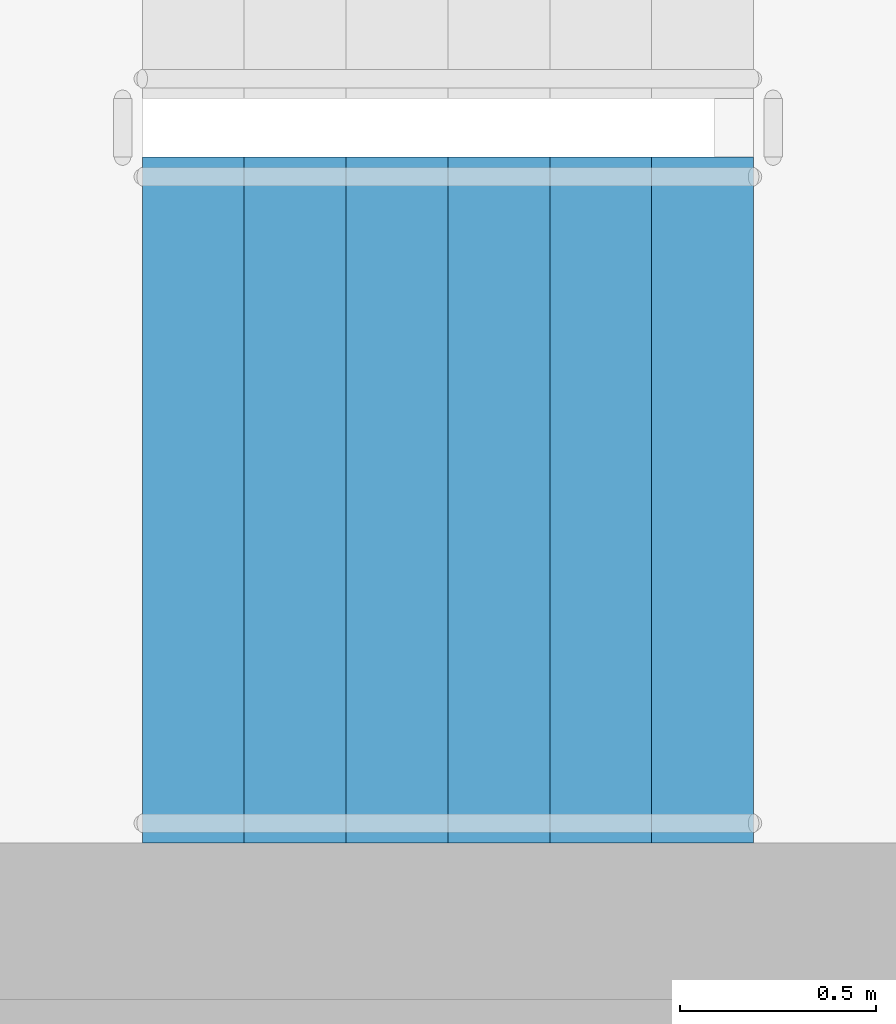
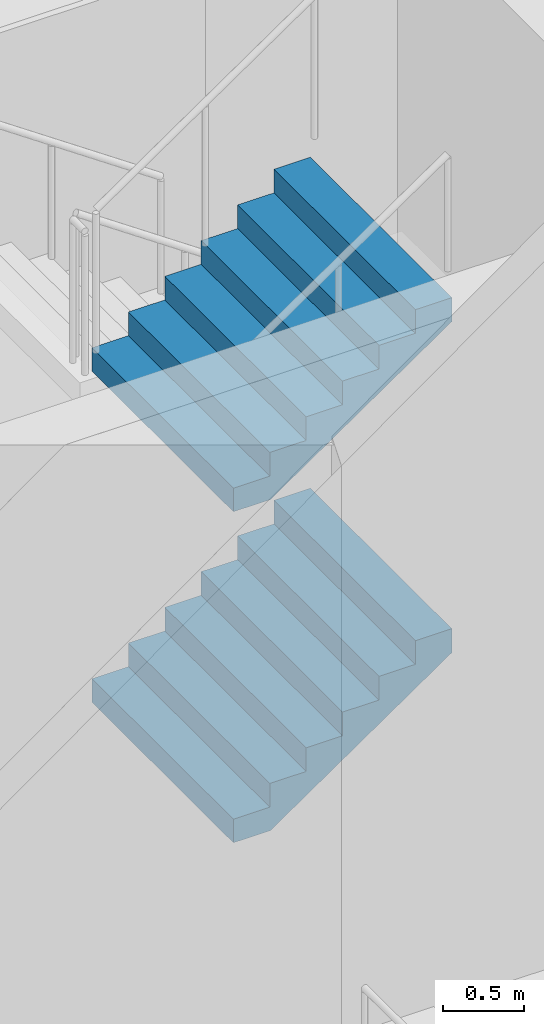
# One storey, part 18 of 34: 2 stair flights, 1 element without a shape of its own.
"""IFC4 building model written with IfcOpenShell, lengths in metres."""

from ifc_helpers import new_model, si_unit, direction, frame, origin, place, context, subcontext, project, spatial, faceted_brep, material, type_object, element, aggregate, save


model = new_model("IFC4")

# Units and contexts
model_context = context("Model", 3, precision=1e-05, world=origin(), true_north=direction((0.0, 1.0)))
body_context = subcontext(model_context, "Body", "Model", "MODEL_VIEW")
ifc_project = project(units=[si_unit("LENGTHUNIT", "METRE"), si_unit("AREAUNIT", "SQUARE_METRE"), si_unit("VOLUMEUNIT", "CUBIC_METRE"), si_unit("PLANEANGLEUNIT", "RADIAN"), si_unit("MASSUNIT", "GRAM", prefix="KILO")], contexts=[model_context])

# Site, building, storey
site_placement = place(None, origin())
site = spatial("IfcSite", under=ifc_project, at=site_placement, CompositionType="ELEMENT")
building_placement = place(site_placement, origin())
building = spatial("IfcBuilding", under=site, at=building_placement, Name="Ipe Terrace Towers", CompositionType="ELEMENT")
storey_placement = place(building_placement, frame((0.0, 0.0, 128.699951171875)))
storey = spatial("IfcBuildingStorey", under=building, at=storey_placement, Name="L35", CompositionType="ELEMENT", Elevation=128.699951171875)

# Stair, stair flights
ifc_material_1 = material(Name="Concrete C30/37", Category="concrete")
stair_type = type_object("IfcStairType", Name="Protected exit stair", PredefinedType="HALF_TURN_STAIR", material=ifc_material_1)
stair_placement = place(storey_placement, origin())
stair = element("IfcStair", 1, at=stair_placement, inside=storey, type_object=stair_type, Name="L35 Exit stair T1-C2", PredefinedType="HALF_TURN_STAIR")
ifc_material_2 = material(Name="Concrete C30/37", Category="concrete")
stair_flight_type = type_object("IfcStairFlightType", Name="Exit stair flight 1750", PredefinedType="STRAIGHT", material=ifc_material_2)
stair_flight_1_placement = place(storey_placement, frame((-47.260009765625, -4.675048828125, 1.25), z_axis=(0.0, 0.0, 1.0), x_axis=(1.0, 0.0, 0.0)))
stair_flight_1 = element("IfcStairFlight", 2, at=stair_flight_1_placement, type_object=stair_flight_type, Name="T1-ST2 flight 2", NumberOfRisers=7, NumberOfTreads=6, PredefinedType="STRAIGHT", RiserHeight=0.178571429, TreadLength=0.26, context=body_context, shape_type="Brep", body=[
    faceted_brep([(0.264892578125, -0.875, 0.0), (1.56005859375, -0.875, 0.8896484375), (1.56005859375, -0.875, 1.071533203125), (1.300048828125, -0.875, 1.071533203125), (1.300048828125, -0.875, 0.892822265625), (1.0400390625, -0.875, 0.892822265625), (1.0400390625, -0.875, 0.71435546875), (0.780029296875, -0.875, 0.71435546875), (0.780029296875, -0.875, 0.53564453125), (0.52001953125, -0.875, 0.53564453125), (0.52001953125, -0.875, 0.357177734375), (0.260009765625, -0.875, 0.357177734375), (0.260009765625, -0.875, 0.178466796875), (0.0, -0.875, 0.178466796875), (0.0, -0.875, 0.0), (0.0, 0.875, 0.0), (0.0, 0.875, 0.178466796875), (0.260009765625, 0.875, 0.178466796875), (0.260009765625, 0.875, 0.357177734375), (0.52001953125, 0.875, 0.357177734375), (0.52001953125, 0.875, 0.53564453125), (0.780029296875, 0.875, 0.53564453125), (0.780029296875, 0.875, 0.71435546875), (1.0400390625, 0.875, 0.71435546875), (1.0400390625, 0.875, 0.892822265625), (1.300048828125, 0.875, 0.892822265625), (1.300048828125, 0.875, 1.071533203125), (1.56005859375, 0.875, 1.071533203125), (1.56005859375, 0.875, 0.8896484375), (0.264892578125, 0.875, 0.0), (0.0, -0.300048828125, 0.178466796875), (0.0, -0.1201171875, 0.178466796875), (0.0, -0.06005859375, 0.178466796875), (0.0, -0.030029296875, 0.178466796875), (0.0, -0.010009765625, 0.178466796875), (0.0, 0.0, 0.178466796875), (0.0, 0.010009765625, 0.178466796875), (0.0, 0.030029296875, 0.178466796875), (0.0, 0.06005859375, 0.178466796875), (0.0, 0.1201171875, 0.178466796875), (0.0, 0.300048828125, 0.178466796875), (0.0, 0.300048828125, 0.0), (0.0, 0.1201171875, 0.0), (0.0, 0.06005859375, 0.0), (0.0, 0.030029296875, 0.0), (0.0, 0.010009765625, 0.0), (0.0, 0.0, 0.0), (0.0, -0.010009765625, 0.0), (0.0, -0.030029296875, 0.0), (0.0, -0.06005859375, 0.0), (0.0, -0.1201171875, 0.0), (0.0, -0.300048828125, 0.0), (0.260009765625, -0.300048828125, 0.178466796875), (0.260009765625, -0.1201171875, 0.178466796875), (0.260009765625, -0.06005859375, 0.178466796875), (0.260009765625, -0.030029296875, 0.178466796875), (0.260009765625, -0.010009765625, 0.178466796875), (0.260009765625, 0.0, 0.178466796875), (0.260009765625, 0.010009765625, 0.178466796875), (0.260009765625, 0.030029296875, 0.178466796875), (0.260009765625, 0.06005859375, 0.178466796875), (0.260009765625, 0.1201171875, 0.178466796875), (0.260009765625, 0.300048828125, 0.178466796875), (0.260009765625, -0.300048828125, 0.357177734375), (0.260009765625, -0.1201171875, 0.357177734375), (0.260009765625, -0.06005859375, 0.357177734375), (0.260009765625, -0.030029296875, 0.357177734375), (0.260009765625, -0.010009765625, 0.357177734375), (0.260009765625, 0.0, 0.357177734375), (0.260009765625, 0.010009765625, 0.357177734375), (0.260009765625, 0.030029296875, 0.357177734375), (0.260009765625, 0.06005859375, 0.357177734375), (0.260009765625, 0.1201171875, 0.357177734375), (0.260009765625, 0.300048828125, 0.357177734375), (0.52001953125, -0.300048828125, 0.357177734375), (0.52001953125, -0.1201171875, 0.357177734375), (0.52001953125, -0.06005859375, 0.357177734375), (0.52001953125, -0.030029296875, 0.357177734375), (0.52001953125, -0.010009765625, 0.357177734375), (0.52001953125, 0.0, 0.357177734375), (0.52001953125, 0.010009765625, 0.357177734375), (0.52001953125, 0.030029296875, 0.357177734375), (0.52001953125, 0.06005859375, 0.357177734375), (0.52001953125, 0.1201171875, 0.357177734375), (0.52001953125, 0.300048828125, 0.357177734375), (0.52001953125, -0.300048828125, 0.53564453125), (0.52001953125, -0.1201171875, 0.53564453125), (0.52001953125, -0.06005859375, 0.53564453125), (0.52001953125, -0.030029296875, 0.53564453125), (0.52001953125, -0.010009765625, 0.53564453125), (0.52001953125, 0.0, 0.53564453125), (0.52001953125, 0.010009765625, 0.53564453125), (0.52001953125, 0.030029296875, 0.53564453125), (0.52001953125, 0.06005859375, 0.53564453125), (0.52001953125, 0.1201171875, 0.53564453125), (0.52001953125, 0.300048828125, 0.53564453125), (0.780029296875, -0.300048828125, 0.53564453125), (0.780029296875, -0.1201171875, 0.53564453125), (0.780029296875, -0.06005859375, 0.53564453125), (0.780029296875, -0.030029296875, 0.53564453125), (0.780029296875, -0.010009765625, 0.53564453125), (0.780029296875, 0.0, 0.53564453125), (0.780029296875, 0.010009765625, 0.53564453125), (0.780029296875, 0.030029296875, 0.53564453125), (0.780029296875, 0.06005859375, 0.53564453125), (0.780029296875, 0.1201171875, 0.53564453125), (0.780029296875, 0.300048828125, 0.53564453125), (0.780029296875, -0.300048828125, 0.71435546875), (0.780029296875, -0.1201171875, 0.71435546875), (0.780029296875, -0.06005859375, 0.71435546875), (0.780029296875, -0.030029296875, 0.71435546875), (0.780029296875, -0.010009765625, 0.71435546875), (0.780029296875, 0.0, 0.71435546875), (0.780029296875, 0.010009765625, 0.71435546875), (0.780029296875, 0.030029296875, 0.71435546875), (0.780029296875, 0.06005859375, 0.71435546875), (0.780029296875, 0.1201171875, 0.71435546875), (0.780029296875, 0.300048828125, 0.71435546875), (1.0400390625, -0.300048828125, 0.71435546875), (1.0400390625, -0.1201171875, 0.71435546875), (1.0400390625, -0.06005859375, 0.71435546875), (1.0400390625, -0.030029296875, 0.71435546875), (1.0400390625, -0.010009765625, 0.71435546875), (1.0400390625, 0.0, 0.71435546875), (1.0400390625, 0.010009765625, 0.71435546875), (1.0400390625, 0.030029296875, 0.71435546875), (1.0400390625, 0.06005859375, 0.71435546875), (1.0400390625, 0.1201171875, 0.71435546875), (1.0400390625, 0.300048828125, 0.71435546875), (1.0400390625, -0.300048828125, 0.892822265625), (1.0400390625, -0.1201171875, 0.892822265625), (1.0400390625, -0.06005859375, 0.892822265625), (1.0400390625, -0.030029296875, 0.892822265625), (1.0400390625, -0.010009765625, 0.892822265625), (1.0400390625, 0.0, 0.892822265625), (1.0400390625, 0.010009765625, 0.892822265625), (1.0400390625, 0.030029296875, 0.892822265625), (1.0400390625, 0.06005859375, 0.892822265625), (1.0400390625, 0.1201171875, 0.892822265625), (1.0400390625, 0.300048828125, 0.892822265625), (1.300048828125, -0.300048828125, 0.892822265625), (1.300048828125, -0.1201171875, 0.892822265625), (1.300048828125, -0.06005859375, 0.892822265625), (1.300048828125, -0.030029296875, 0.892822265625), (1.300048828125, -0.010009765625, 0.892822265625), (1.300048828125, 0.0, 0.892822265625), (1.300048828125, 0.010009765625, 0.892822265625), (1.300048828125, 0.030029296875, 0.892822265625), (1.300048828125, 0.06005859375, 0.892822265625), (1.300048828125, 0.1201171875, 0.892822265625), (1.300048828125, 0.300048828125, 0.892822265625), (1.300048828125, -0.300048828125, 1.071533203125), (1.300048828125, -0.1201171875, 1.071533203125), (1.300048828125, -0.06005859375, 1.071533203125), (1.300048828125, -0.030029296875, 1.071533203125), (1.300048828125, -0.010009765625, 1.071533203125), (1.300048828125, 0.0, 1.071533203125), (1.300048828125, 0.010009765625, 1.071533203125), (1.300048828125, 0.030029296875, 1.071533203125), (1.300048828125, 0.06005859375, 1.071533203125), (1.300048828125, 0.1201171875, 1.071533203125), (1.300048828125, 0.300048828125, 1.071533203125), (1.56005859375, -0.300048828125, 1.071533203125), (1.56005859375, -0.1201171875, 1.071533203125), (1.56005859375, -0.06005859375, 1.071533203125), (1.56005859375, -0.030029296875, 1.071533203125), (1.56005859375, -0.010009765625, 1.071533203125), (1.56005859375, 0.0, 1.071533203125), (1.56005859375, 0.010009765625, 1.071533203125), (1.56005859375, 0.030029296875, 1.071533203125), (1.56005859375, 0.06005859375, 1.071533203125), (1.56005859375, 0.1201171875, 1.071533203125), (1.56005859375, 0.300048828125, 1.071533203125), (1.56005859375, -0.300048828125, 0.8896484375), (1.56005859375, -0.1201171875, 0.8896484375), (1.56005859375, -0.06005859375, 0.8896484375), (1.56005859375, -0.030029296875, 0.8896484375), (1.56005859375, -0.010009765625, 0.8896484375), (1.56005859375, 0.0, 0.8896484375), (1.56005859375, 0.010009765625, 0.8896484375), (1.56005859375, 0.030029296875, 0.8896484375), (1.56005859375, 0.06005859375, 0.8896484375), (1.56005859375, 0.1201171875, 0.8896484375), (1.56005859375, 0.300048828125, 0.8896484375), (0.264892578125, -0.300048828125, 0.0), (0.264892578125, -0.1201171875, 0.0), (0.264892578125, -0.06005859375, 0.0), (0.264892578125, -0.030029296875, 0.0), (0.264892578125, -0.010009765625, 0.0), (0.264892578125, 0.0, 0.0), (0.264892578125, 0.010009765625, 0.0), (0.264892578125, 0.030029296875, 0.0), (0.264892578125, 0.06005859375, 0.0), (0.264892578125, 0.1201171875, 0.0), (0.264892578125, 0.300048828125, 0.0)], [[[0, 1, 2, 3, 4, 5, 6, 7, 8, 9, 10, 11, 12, 13, 14]], [[15, 16, 17, 18, 19, 20, 21, 22, 23, 24, 25, 26, 27, 28, 29]], [[13, 30, 31, 32, 33, 34, 35, 36, 37, 38, 39, 40, 16, 15, 41, 42, 43, 44, 45, 46, 47, 48, 49, 50, 51, 14]], [[12, 52, 53, 54, 55, 56, 57, 58, 59, 60, 61, 62, 17, 16, 40, 39, 38, 37, 36, 35, 34, 33, 32, 31, 30, 13]], [[11, 63, 64, 65, 66, 67, 68, 69, 70, 71, 72, 73, 18, 17, 62, 61, 60, 59, 58, 57, 56, 55, 54, 53, 52, 12]], [[10, 74, 75, 76, 77, 78, 79, 80, 81, 82, 83, 84, 19, 18, 73, 72, 71, 70, 69, 68, 67, 66, 65, 64, 63, 11]], [[9, 85, 86, 87, 88, 89, 90, 91, 92, 93, 94, 95, 20, 19, 84, 83, 82, 81, 80, 79, 78, 77, 76, 75, 74, 10]], [[8, 96, 97, 98, 99, 100, 101, 102, 103, 104, 105, 106, 21, 20, 95, 94, 93, 92, 91, 90, 89, 88, 87, 86, 85, 9]], [[7, 107, 108, 109, 110, 111, 112, 113, 114, 115, 116, 117, 22, 21, 106, 105, 104, 103, 102, 101, 100, 99, 98, 97, 96, 8]], [[6, 118, 119, 120, 121, 122, 123, 124, 125, 126, 127, 128, 23, 22, 117, 116, 115, 114, 113, 112, 111, 110, 109, 108, 107, 7]], [[5, 129, 130, 131, 132, 133, 134, 135, 136, 137, 138, 139, 24, 23, 128, 127, 126, 125, 124, 123, 122, 121, 120, 119, 118, 6]], [[4, 140, 141, 142, 143, 144, 145, 146, 147, 148, 149, 150, 25, 24, 139, 138, 137, 136, 135, 134, 133, 132, 131, 130, 129, 5]], [[3, 151, 152, 153, 154, 155, 156, 157, 158, 159, 160, 161, 26, 25, 150, 149, 148, 147, 146, 145, 144, 143, 142, 141, 140, 4]], [[2, 162, 163, 164, 165, 166, 167, 168, 169, 170, 171, 172, 27, 26, 161, 160, 159, 158, 157, 156, 155, 154, 153, 152, 151, 3]], [[1, 173, 174, 175, 176, 177, 178, 179, 180, 181, 182, 183, 28, 27, 172, 171, 170, 169, 168, 167, 166, 165, 164, 163, 162, 2]], [[0, 184, 185, 186, 187, 188, 189, 190, 191, 192, 193, 194, 29, 28, 183, 182, 181, 180, 179, 178, 177, 176, 175, 174, 173, 1]], [[14, 51, 50, 49, 48, 47, 46, 45, 44, 43, 42, 41, 15, 29, 194, 193, 192, 191, 190, 189, 188, 187, 186, 185, 184, 0]]]),
])
stair_flight_2_placement = place(storey_placement, frame((-47.260009765625, -4.675048828125, 3.75), z_axis=(0.0, 0.0, 1.0), x_axis=(1.0, 0.0, 0.0)))
stair_flight_2 = element("IfcStairFlight", 3, at=stair_flight_2_placement, type_object=stair_flight_type, Name="T1-ST2 flight 4", NumberOfRisers=7, NumberOfTreads=6, PredefinedType="STRAIGHT", RiserHeight=0.178571429, TreadLength=0.26, context=body_context, shape_type="Brep", body=[
    faceted_brep([(0.264892578125, -0.875, 0.0), (1.56005859375, -0.875, 0.8896484375), (1.56005859375, -0.875, 1.071533203125), (1.300048828125, -0.875, 1.071533203125), (1.300048828125, -0.875, 0.892822265625), (1.0400390625, -0.875, 0.892822265625), (1.0400390625, -0.875, 0.71435546875), (0.780029296875, -0.875, 0.71435546875), (0.780029296875, -0.875, 0.53564453125), (0.52001953125, -0.875, 0.53564453125), (0.52001953125, -0.875, 0.357177734375), (0.260009765625, -0.875, 0.357177734375), (0.260009765625, -0.875, 0.178466796875), (0.0, -0.875, 0.178466796875), (0.0, -0.875, 0.0), (0.0, 0.875, 0.0), (0.0, 0.875, 0.178466796875), (0.260009765625, 0.875, 0.178466796875), (0.260009765625, 0.875, 0.357177734375), (0.52001953125, 0.875, 0.357177734375), (0.52001953125, 0.875, 0.53564453125), (0.780029296875, 0.875, 0.53564453125), (0.780029296875, 0.875, 0.71435546875), (1.0400390625, 0.875, 0.71435546875), (1.0400390625, 0.875, 0.892822265625), (1.300048828125, 0.875, 0.892822265625), (1.300048828125, 0.875, 1.071533203125), (1.56005859375, 0.875, 1.071533203125), (1.56005859375, 0.875, 0.8896484375), (0.264892578125, 0.875, 0.0), (0.0, -0.300048828125, 0.178466796875), (0.0, -0.1201171875, 0.178466796875), (0.0, -0.06005859375, 0.178466796875), (0.0, -0.030029296875, 0.178466796875), (0.0, -0.010009765625, 0.178466796875), (0.0, 0.0, 0.178466796875), (0.0, 0.010009765625, 0.178466796875), (0.0, 0.030029296875, 0.178466796875), (0.0, 0.06005859375, 0.178466796875), (0.0, 0.1201171875, 0.178466796875), (0.0, 0.300048828125, 0.178466796875), (0.0, 0.300048828125, 0.0), (0.0, 0.1201171875, 0.0), (0.0, 0.06005859375, 0.0), (0.0, 0.030029296875, 0.0), (0.0, 0.010009765625, 0.0), (0.0, 0.0, 0.0), (0.0, -0.010009765625, 0.0), (0.0, -0.030029296875, 0.0), (0.0, -0.06005859375, 0.0), (0.0, -0.1201171875, 0.0), (0.0, -0.300048828125, 0.0), (0.260009765625, -0.300048828125, 0.178466796875), (0.260009765625, -0.1201171875, 0.178466796875), (0.260009765625, -0.06005859375, 0.178466796875), (0.260009765625, -0.030029296875, 0.178466796875), (0.260009765625, -0.010009765625, 0.178466796875), (0.260009765625, 0.0, 0.178466796875), (0.260009765625, 0.010009765625, 0.178466796875), (0.260009765625, 0.030029296875, 0.178466796875), (0.260009765625, 0.06005859375, 0.178466796875), (0.260009765625, 0.1201171875, 0.178466796875), (0.260009765625, 0.300048828125, 0.178466796875), (0.260009765625, -0.300048828125, 0.357177734375), (0.260009765625, -0.1201171875, 0.357177734375), (0.260009765625, -0.06005859375, 0.357177734375), (0.260009765625, -0.030029296875, 0.357177734375), (0.260009765625, -0.010009765625, 0.357177734375), (0.260009765625, 0.0, 0.357177734375), (0.260009765625, 0.010009765625, 0.357177734375), (0.260009765625, 0.030029296875, 0.357177734375), (0.260009765625, 0.06005859375, 0.357177734375), (0.260009765625, 0.1201171875, 0.357177734375), (0.260009765625, 0.300048828125, 0.357177734375), (0.52001953125, -0.300048828125, 0.357177734375), (0.52001953125, -0.1201171875, 0.357177734375), (0.52001953125, -0.06005859375, 0.357177734375), (0.52001953125, -0.030029296875, 0.357177734375), (0.52001953125, -0.010009765625, 0.357177734375), (0.52001953125, 0.0, 0.357177734375), (0.52001953125, 0.010009765625, 0.357177734375), (0.52001953125, 0.030029296875, 0.357177734375), (0.52001953125, 0.06005859375, 0.357177734375), (0.52001953125, 0.1201171875, 0.357177734375), (0.52001953125, 0.300048828125, 0.357177734375), (0.52001953125, -0.300048828125, 0.53564453125), (0.52001953125, -0.1201171875, 0.53564453125), (0.52001953125, -0.06005859375, 0.53564453125), (0.52001953125, -0.030029296875, 0.53564453125), (0.52001953125, -0.010009765625, 0.53564453125), (0.52001953125, 0.0, 0.53564453125), (0.52001953125, 0.010009765625, 0.53564453125), (0.52001953125, 0.030029296875, 0.53564453125), (0.52001953125, 0.06005859375, 0.53564453125), (0.52001953125, 0.1201171875, 0.53564453125), (0.52001953125, 0.300048828125, 0.53564453125), (0.780029296875, -0.300048828125, 0.53564453125), (0.780029296875, -0.1201171875, 0.53564453125), (0.780029296875, -0.06005859375, 0.53564453125), (0.780029296875, -0.030029296875, 0.53564453125), (0.780029296875, -0.010009765625, 0.53564453125), (0.780029296875, 0.0, 0.53564453125), (0.780029296875, 0.010009765625, 0.53564453125), (0.780029296875, 0.030029296875, 0.53564453125), (0.780029296875, 0.06005859375, 0.53564453125), (0.780029296875, 0.1201171875, 0.53564453125), (0.780029296875, 0.300048828125, 0.53564453125), (0.780029296875, -0.300048828125, 0.71435546875), (0.780029296875, -0.1201171875, 0.71435546875), (0.780029296875, -0.06005859375, 0.71435546875), (0.780029296875, -0.030029296875, 0.71435546875), (0.780029296875, -0.010009765625, 0.71435546875), (0.780029296875, 0.0, 0.71435546875), (0.780029296875, 0.010009765625, 0.71435546875), (0.780029296875, 0.030029296875, 0.71435546875), (0.780029296875, 0.06005859375, 0.71435546875), (0.780029296875, 0.1201171875, 0.71435546875), (0.780029296875, 0.300048828125, 0.71435546875), (1.0400390625, -0.300048828125, 0.71435546875), (1.0400390625, -0.1201171875, 0.71435546875), (1.0400390625, -0.06005859375, 0.71435546875), (1.0400390625, -0.030029296875, 0.71435546875), (1.0400390625, -0.010009765625, 0.71435546875), (1.0400390625, 0.0, 0.71435546875), (1.0400390625, 0.010009765625, 0.71435546875), (1.0400390625, 0.030029296875, 0.71435546875), (1.0400390625, 0.06005859375, 0.71435546875), (1.0400390625, 0.1201171875, 0.71435546875), (1.0400390625, 0.300048828125, 0.71435546875), (1.0400390625, -0.300048828125, 0.892822265625), (1.0400390625, -0.1201171875, 0.892822265625), (1.0400390625, -0.06005859375, 0.892822265625), (1.0400390625, -0.030029296875, 0.892822265625), (1.0400390625, -0.010009765625, 0.892822265625), (1.0400390625, 0.0, 0.892822265625), (1.0400390625, 0.010009765625, 0.892822265625), (1.0400390625, 0.030029296875, 0.892822265625), (1.0400390625, 0.06005859375, 0.892822265625), (1.0400390625, 0.1201171875, 0.892822265625), (1.0400390625, 0.300048828125, 0.892822265625), (1.300048828125, -0.300048828125, 0.892822265625), (1.300048828125, -0.1201171875, 0.892822265625), (1.300048828125, -0.06005859375, 0.892822265625), (1.300048828125, -0.030029296875, 0.892822265625), (1.300048828125, -0.010009765625, 0.892822265625), (1.300048828125, 0.0, 0.892822265625), (1.300048828125, 0.010009765625, 0.892822265625), (1.300048828125, 0.030029296875, 0.892822265625), (1.300048828125, 0.06005859375, 0.892822265625), (1.300048828125, 0.1201171875, 0.892822265625), (1.300048828125, 0.300048828125, 0.892822265625), (1.300048828125, -0.300048828125, 1.071533203125), (1.300048828125, -0.1201171875, 1.071533203125), (1.300048828125, -0.06005859375, 1.071533203125), (1.300048828125, -0.030029296875, 1.071533203125), (1.300048828125, -0.010009765625, 1.071533203125), (1.300048828125, 0.0, 1.071533203125), (1.300048828125, 0.010009765625, 1.071533203125), (1.300048828125, 0.030029296875, 1.071533203125), (1.300048828125, 0.06005859375, 1.071533203125), (1.300048828125, 0.1201171875, 1.071533203125), (1.300048828125, 0.300048828125, 1.071533203125), (1.56005859375, -0.300048828125, 1.071533203125), (1.56005859375, -0.1201171875, 1.071533203125), (1.56005859375, -0.06005859375, 1.071533203125), (1.56005859375, -0.030029296875, 1.071533203125), (1.56005859375, -0.010009765625, 1.071533203125), (1.56005859375, 0.0, 1.071533203125), (1.56005859375, 0.010009765625, 1.071533203125), (1.56005859375, 0.030029296875, 1.071533203125), (1.56005859375, 0.06005859375, 1.071533203125), (1.56005859375, 0.1201171875, 1.071533203125), (1.56005859375, 0.300048828125, 1.071533203125), (1.56005859375, -0.300048828125, 0.8896484375), (1.56005859375, -0.1201171875, 0.8896484375), (1.56005859375, -0.06005859375, 0.8896484375), (1.56005859375, -0.030029296875, 0.8896484375), (1.56005859375, -0.010009765625, 0.8896484375), (1.56005859375, 0.0, 0.8896484375), (1.56005859375, 0.010009765625, 0.8896484375), (1.56005859375, 0.030029296875, 0.8896484375), (1.56005859375, 0.06005859375, 0.8896484375), (1.56005859375, 0.1201171875, 0.8896484375), (1.56005859375, 0.300048828125, 0.8896484375), (0.264892578125, -0.300048828125, 0.0), (0.264892578125, -0.1201171875, 0.0), (0.264892578125, -0.06005859375, 0.0), (0.264892578125, -0.030029296875, 0.0), (0.264892578125, -0.010009765625, 0.0), (0.264892578125, 0.0, 0.0), (0.264892578125, 0.010009765625, 0.0), (0.264892578125, 0.030029296875, 0.0), (0.264892578125, 0.06005859375, 0.0), (0.264892578125, 0.1201171875, 0.0), (0.264892578125, 0.300048828125, 0.0)], [[[0, 1, 2, 3, 4, 5, 6, 7, 8, 9, 10, 11, 12, 13, 14]], [[15, 16, 17, 18, 19, 20, 21, 22, 23, 24, 25, 26, 27, 28, 29]], [[13, 30, 31, 32, 33, 34, 35, 36, 37, 38, 39, 40, 16, 15, 41, 42, 43, 44, 45, 46, 47, 48, 49, 50, 51, 14]], [[12, 52, 53, 54, 55, 56, 57, 58, 59, 60, 61, 62, 17, 16, 40, 39, 38, 37, 36, 35, 34, 33, 32, 31, 30, 13]], [[11, 63, 64, 65, 66, 67, 68, 69, 70, 71, 72, 73, 18, 17, 62, 61, 60, 59, 58, 57, 56, 55, 54, 53, 52, 12]], [[10, 74, 75, 76, 77, 78, 79, 80, 81, 82, 83, 84, 19, 18, 73, 72, 71, 70, 69, 68, 67, 66, 65, 64, 63, 11]], [[9, 85, 86, 87, 88, 89, 90, 91, 92, 93, 94, 95, 20, 19, 84, 83, 82, 81, 80, 79, 78, 77, 76, 75, 74, 10]], [[8, 96, 97, 98, 99, 100, 101, 102, 103, 104, 105, 106, 21, 20, 95, 94, 93, 92, 91, 90, 89, 88, 87, 86, 85, 9]], [[7, 107, 108, 109, 110, 111, 112, 113, 114, 115, 116, 117, 22, 21, 106, 105, 104, 103, 102, 101, 100, 99, 98, 97, 96, 8]], [[6, 118, 119, 120, 121, 122, 123, 124, 125, 126, 127, 128, 23, 22, 117, 116, 115, 114, 113, 112, 111, 110, 109, 108, 107, 7]], [[5, 129, 130, 131, 132, 133, 134, 135, 136, 137, 138, 139, 24, 23, 128, 127, 126, 125, 124, 123, 122, 121, 120, 119, 118, 6]], [[4, 140, 141, 142, 143, 144, 145, 146, 147, 148, 149, 150, 25, 24, 139, 138, 137, 136, 135, 134, 133, 132, 131, 130, 129, 5]], [[3, 151, 152, 153, 154, 155, 156, 157, 158, 159, 160, 161, 26, 25, 150, 149, 148, 147, 146, 145, 144, 143, 142, 141, 140, 4]], [[2, 162, 163, 164, 165, 166, 167, 168, 169, 170, 171, 172, 27, 26, 161, 160, 159, 158, 157, 156, 155, 154, 153, 152, 151, 3]], [[1, 173, 174, 175, 176, 177, 178, 179, 180, 181, 182, 183, 28, 27, 172, 171, 170, 169, 168, 167, 166, 165, 164, 163, 162, 2]], [[0, 184, 185, 186, 187, 188, 189, 190, 191, 192, 193, 194, 29, 28, 183, 182, 181, 180, 179, 178, 177, 176, 175, 174, 173, 1]], [[14, 51, 50, 49, 48, 47, 46, 45, 44, 43, 42, 41, 15, 29, 194, 193, 192, 191, 190, 189, 188, 187, 186, 185, 184, 0]]]),
])
aggregate(stair, [stair_flight_1, stair_flight_2])

save(model, "model.ifc")
